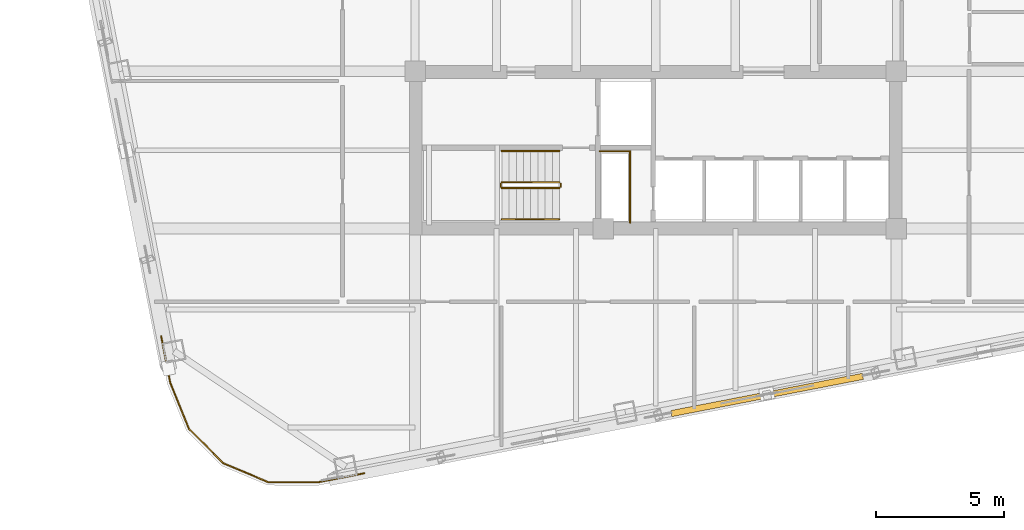
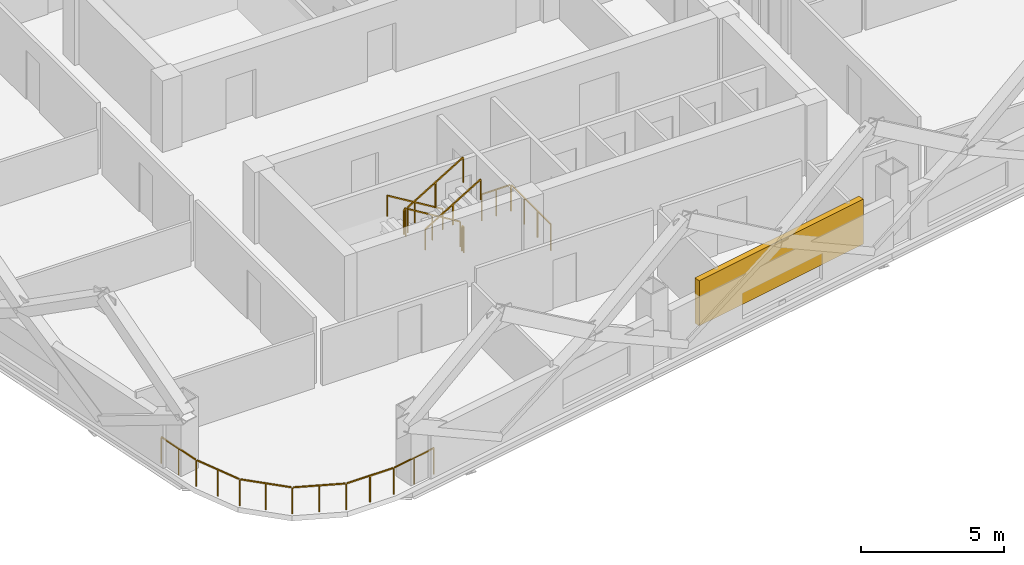
# One storey, part 8 of 10: 8 railings, 1 shading device.
"""IFC4 building model written with IfcOpenShell, lengths in metres."""

from ifc_helpers import new_model, si_unit, direction, frame, origin, origin_2d, place, context, subcontext, project, spatial, rectangle, extrude, material, type_object, element, save


model = new_model("IFC4")

# Units and contexts
model_context = context("Model", 3, precision=1e-05, world=origin(), true_north=direction((0.0, 1.0)))
body_context = subcontext(model_context, "Body", "Model", "MODEL_VIEW")
ifc_project = project(units=[si_unit("LENGTHUNIT", "METRE"), si_unit("AREAUNIT", "SQUARE_METRE"), si_unit("VOLUMEUNIT", "CUBIC_METRE"), si_unit("PLANEANGLEUNIT", "RADIAN"), si_unit("MASSUNIT", "GRAM", prefix="KILO")], contexts=[model_context])

# Site, building, storey
site_placement = place(None, origin())
site = spatial("IfcSite", under=ifc_project, at=site_placement, CompositionType="ELEMENT")
building_placement = place(site_placement, origin())
building = spatial("IfcBuilding", under=site, at=building_placement, Name="Qhalaya Broadcast Tower", CompositionType="ELEMENT")
storey_placement = place(building_placement, frame((0.0, 0.0, 131.10009765625)))
storey = spatial("IfcBuildingStorey", under=building, at=storey_placement, Name="L38", CompositionType="ELEMENT", Elevation=131.10009765625)

# Railings
ifc_material_1 = material(Name="Powder-Coated Galvanised Steel", Category="steel")
railing_type_1 = type_object("IfcRailingType", Name="Stair Wall Handrail 900", PredefinedType="HANDRAIL", material=ifc_material_1)
railing_1_placement = place(storey_placement, frame((-3.75, -5.72998046875, 0.16943359375)))
element("IfcRailing", 1, at=railing_1_placement, inside=storey, type_object=railing_type_1, Name="L38 ST-2 Stair Handrail 1", PredefinedType="HANDRAIL", context=body_context, shape_type="SweptSolid", body=[
    extrude(rectangle(XDim=0.048095703125, YDim=0.048095703125, at=origin_2d()), frame((0.0, 0.0, 0.8759765625), z_axis=(-0.855553338991, 0.0, 0.51771467445), x_axis=(0.0, -1.0, 0.0)), (0.0, 0.0, 1.0), 2.6181640625),
    extrude(rectangle(XDim=0.0419921875, YDim=0.0419921875, at=origin_2d()), origin(), (0.0, 0.0, 1.0), 0.849853515625),
    extrude(rectangle(XDim=0.0419921875, YDim=0.0419921875, at=origin_2d()), frame((-1.1201171875, 0.0, 0.677734375)), (0.0, 0.0, 1.0), 0.849853515625),
    extrude(rectangle(XDim=0.0419921875, YDim=0.0419921875, at=origin_2d()), frame((-2.239990234375, 0.0, 1.35546875)), (0.0, 0.0, 1.0), 0.849853515625),
])
railing_2_placement = place(storey_placement, frame((-5.989990234375, -8.389892578125, 1.6943359375)))
element("IfcRailing", 2, at=railing_2_placement, inside=storey, type_object=railing_type_1, Name="L38 ST-2 Stair Handrail 2", PredefinedType="HANDRAIL", context=body_context, shape_type="SweptSolid", body=[
    extrude(rectangle(XDim=0.048095703125, YDim=0.048095703125, at=origin_2d()), frame((0.0, 0.0, 0.8759765625), z_axis=(0.855553338991, 0.0, 0.51771467445), x_axis=(0.0, 1.0, 0.0)), (0.0, 0.0, 1.0), 2.6181640625),
    extrude(rectangle(XDim=0.0419921875, YDim=0.0419921875, at=origin_2d()), origin(), (0.0, 0.0, 1.0), 0.849853515625),
    extrude(rectangle(XDim=0.0419921875, YDim=0.0419921875, at=origin_2d()), frame((1.1201171875, 0.0, 0.677734375)), (0.0, 0.0, 1.0), 0.849853515625),
    extrude(rectangle(XDim=0.0419921875, YDim=0.0419921875, at=origin_2d()), frame((2.239990234375, 0.0, 1.35546875)), (0.0, 0.0, 1.0), 0.849853515625),
])
railing_type_2 = type_object("IfcRailingType", Name="Stair Well & Landing Guardrail 1100", PredefinedType="GUARDRAIL", material=ifc_material_1)
railing_3_placement = place(storey_placement, frame((-1.0, -8.52001953125, 0.0)))
element("IfcRailing", 3, at=railing_3_placement, inside=storey, type_object=railing_type_2, Name="L38 Service Riser Opening Safety Guard SRSR", PredefinedType="GUARDRAIL", context=body_context, shape_type="SweptSolid", body=[
    extrude(rectangle(XDim=0.048095703125, YDim=0.048095703125, at=origin_2d()), frame((0.0, 0.0, 1.1259765625), z_axis=(0.0, 1.0, 0.0), x_axis=(-1.0, 0.0, 0.0)), (0.0, 0.0, 1.0), 2.751220703125),
    extrude(rectangle(XDim=0.048095703125, YDim=0.048095703125, at=origin_2d()), frame((-0.02880859375, 2.780029296875, 1.1259765625), z_axis=(-1.0, 0.0, 0.0), x_axis=(0.0, -1.0, 0.0)), (0.0, 0.0, 1.0), 1.151123046875),
    extrude(rectangle(XDim=0.0419921875, YDim=0.0419921875, at=origin_2d()), origin(), (0.0, 0.0, 1.0), 1.099853515625),
    extrude(rectangle(XDim=0.0419921875, YDim=0.0419921875, at=origin_2d()), frame((0.0, 0.9267578125, 0.0)), (0.0, 0.0, 1.0), 1.099853515625),
    extrude(rectangle(XDim=0.0419921875, YDim=0.0419921875, at=origin_2d()), frame((0.0, 1.853271484375, 0.0)), (0.0, 0.0, 1.0), 1.099853515625),
    extrude(rectangle(XDim=0.0419921875, YDim=0.0419921875, at=origin_2d()), frame((0.0, 2.780029296875, 0.0)), (0.0, 0.0, 1.0), 1.099853515625),
    extrude(rectangle(XDim=0.0419921875, YDim=0.0419921875, at=origin_2d()), frame((-0.58984375, 2.780029296875, 0.0)), (0.0, 0.0, 1.0), 1.099853515625),
    extrude(rectangle(XDim=0.0419921875, YDim=0.0419921875, at=origin_2d()), frame((-1.179931640625, 2.780029296875, 0.0)), (0.0, 0.0, 1.0), 1.099853515625),
])
railing_4_placement = place(storey_placement, frame((-3.75, -6.949951171875, 0.16943359375)))
element("IfcRailing", 4, at=railing_4_placement, inside=storey, type_object=railing_type_2, Name="L38 ST-2 Stair Guard 1", PredefinedType="GUARDRAIL", context=body_context, shape_type="SweptSolid", body=[
    extrude(rectangle(XDim=0.048095703125, YDim=0.048095703125, at=origin_2d()), frame((0.0, 0.0, 1.076171875), z_axis=(-0.855553338991, 0.0, 0.51771467445), x_axis=(0.0, -1.0, 0.0)), (0.0, 0.0, 1.0), 2.6181640625),
    extrude(rectangle(XDim=0.0419921875, YDim=0.0419921875, at=origin_2d()), origin(), (0.0, 0.0, 1.0), 1.050048828125),
    extrude(rectangle(XDim=0.0419921875, YDim=0.0419921875, at=origin_2d()), frame((-1.1201171875, 0.0, 0.677734375)), (0.0, 0.0, 1.0), 1.050048828125),
    extrude(rectangle(XDim=0.0419921875, YDim=0.0419921875, at=origin_2d()), frame((-2.239990234375, 0.0, 1.35546875)), (0.0, 0.0, 1.0), 1.050048828125),
])
railing_5_placement = place(storey_placement, frame((-6.0400390625, -7.0, 1.52490234375)))
element("IfcRailing", 5, at=railing_5_placement, inside=storey, type_object=railing_type_2, Name="L38 ST-2 Stair Guard 2", PredefinedType="GUARDRAIL", context=body_context, shape_type="SweptSolid", body=[
    extrude(rectangle(XDim=0.048095703125, YDim=0.048095703125, at=origin_2d()), frame((0.0, 0.0, 1.076171875), z_axis=(0.0, -1.0, 0.0), x_axis=(1.0, 0.0, 0.0)), (0.0, 0.0, 1.0), 0.1201171875),
    extrude(rectangle(XDim=0.0419921875, YDim=0.0419921875, at=origin_2d()), origin(), (0.0, 0.0, 1.0), 1.050048828125),
    extrude(rectangle(XDim=0.0419921875, YDim=0.0419921875, at=origin_2d()), frame((0.0, -0.1201171875, 0.0)), (0.0, 0.0, 1.0), 1.050048828125),
])
railing_6_placement = place(storey_placement, frame((-5.989990234375, -7.169921875, 1.6943359375)))
element("IfcRailing", 6, at=railing_6_placement, inside=storey, type_object=railing_type_2, Name="L38 ST-2 Stair Guard 3", PredefinedType="GUARDRAIL", context=body_context, shape_type="SweptSolid", body=[
    extrude(rectangle(XDim=0.048095703125, YDim=0.048095703125, at=origin_2d()), frame((0.0, 0.0, 1.076171875), z_axis=(0.855553338991, 0.0, 0.51771467445), x_axis=(0.0, 1.0, 0.0)), (0.0, 0.0, 1.0), 2.6181640625),
    extrude(rectangle(XDim=0.0419921875, YDim=0.0419921875, at=origin_2d()), origin(), (0.0, 0.0, 1.0), 1.050048828125),
    extrude(rectangle(XDim=0.0419921875, YDim=0.0419921875, at=origin_2d()), frame((1.1201171875, 0.0, 0.677734375)), (0.0, 0.0, 1.0), 1.050048828125),
    extrude(rectangle(XDim=0.0419921875, YDim=0.0419921875, at=origin_2d()), frame((2.239990234375, 0.0, 1.35546875)), (0.0, 0.0, 1.0), 1.050048828125),
])
railing_7_placement = place(storey_placement, frame((-3.699951171875, -7.0, 0.0)))
element("IfcRailing", 7, at=railing_7_placement, inside=storey, type_object=railing_type_2, Name="L38 ST-2 Stair Guard 4", PredefinedType="GUARDRAIL", context=body_context, shape_type="SweptSolid", body=[
    extrude(rectangle(XDim=0.048095703125, YDim=0.048095703125, at=origin_2d()), frame((0.0, 0.0, 1.076171875), z_axis=(0.0, -1.0, 0.0), x_axis=(1.0, 0.0, 0.0)), (0.0, 0.0, 1.0), 0.1201171875),
    extrude(rectangle(XDim=0.0419921875, YDim=0.0419921875, at=origin_2d()), origin(), (0.0, 0.0, 1.0), 1.050048828125),
    extrude(rectangle(XDim=0.0419921875, YDim=0.0419921875, at=origin_2d()), frame((0.0, -0.1201171875, 0.0)), (0.0, 0.0, 1.0), 1.050048828125),
])
railing_type_3 = type_object("IfcRailingType", Name="Terrace, Sky-Pool & Lookout Glass Balustrade 1150", PredefinedType="BALUSTRADE", material=ifc_material_1)
railing_8_placement = place(storey_placement, frame((-11.351318359375, -18.281982421875, 0.0)))
element("IfcRailing", 8, at=railing_8_placement, inside=storey, type_object=railing_type_3, Name="L38 Rounded Corner Perimeter Guard 02", PredefinedType="BALUSTRADE", context=body_context, shape_type="SweptSolid", body=[
    extrude(rectangle(XDim=0.048095703125, YDim=0.048095703125, at=origin_2d()), frame((0.0, 0.0, 1.1259765625), z_axis=(-0.981643446311, -0.190725311155, 0.0), x_axis=(0.190725311155, -0.981643446311, 0.0)), (0.0, 0.0, 1.0), 1.8271484375),
    extrude(rectangle(XDim=0.048095703125, YDim=0.048095703125, at=origin_2d()), frame((-1.850830078125, -0.353759765625, 1.1259765625), z_axis=(-0.999990606087, 0.004334482484, 0.0), x_axis=(-0.004334482484, -0.999990606087, 0.0)), (0.0, 0.0, 1.0), 1.857421875),
    extrude(rectangle(XDim=0.048095703125, YDim=0.048095703125, at=origin_2d()), frame((-3.763671875, -0.33447265625, 1.1259765625), z_axis=(-0.922247496545, 0.386599993684, 0.0), x_axis=(-0.386599993684, -0.922247496545, 0.0)), (0.0, 0.0, 1.0), 1.845703125),
    extrude(rectangle(XDim=0.048095703125, YDim=0.048095703125, at=origin_2d()), frame((-5.5126953125, 0.41064453125, 1.1259765625), z_axis=(-0.704021268228, 0.710178888649, 0.0), x_axis=(-0.710178888649, -0.704021268228, 0.0)), (0.0, 0.0, 1.0), 1.845458984375),
    extrude(rectangle(XDim=0.048095703125, YDim=0.048095703125, at=origin_2d()), frame((-6.84326171875, 1.768310546875, 1.1259765625), z_axis=(-0.378588174109, 0.925565229698, 0.0), x_axis=(-0.925565229698, -0.378588174109, 0.0)), (0.0, 0.0, 1.0), 1.857666015625),
    extrude(rectangle(XDim=0.048095703125, YDim=0.048095703125, at=origin_2d()), frame((-7.56298828125, 3.542724609375, 1.1259765625), z_axis=(-0.190725311155, 0.981643446311, 0.0), x_axis=(-0.981643446311, -0.190725311155, 0.0)), (0.0, 0.0, 1.0), 1.8271484375),
    extrude(rectangle(XDim=0.0419921875, YDim=0.0419921875, at=origin_2d()), origin(), (0.0, 0.0, 1.0), 1.099853515625),
    extrude(rectangle(XDim=0.0419921875, YDim=0.0419921875, at=origin_2d()), frame((-0.9111328125, -0.177001953125, 0.0)), (0.0, 0.0, 1.0), 1.099853515625),
    extrude(rectangle(XDim=0.0419921875, YDim=0.0419921875, at=origin_2d()), frame((-1.822021484375, -0.35400390625, 0.0)), (0.0, 0.0, 1.0), 1.099853515625),
    extrude(rectangle(XDim=0.0419921875, YDim=0.0419921875, at=origin_2d()), frame((-2.779541015625, -0.349853515625, 0.0)), (0.0, 0.0, 1.0), 1.099853515625),
    extrude(rectangle(XDim=0.0419921875, YDim=0.0419921875, at=origin_2d()), frame((-3.737060546875, -0.345703125, 0.0)), (0.0, 0.0, 1.0), 1.099853515625),
    extrude(rectangle(XDim=0.0419921875, YDim=0.0419921875, at=origin_2d()), frame((-4.61474609375, 0.022216796875, 0.0)), (0.0, 0.0, 1.0), 1.099853515625),
    extrude(rectangle(XDim=0.0419921875, YDim=0.0419921875, at=origin_2d()), frame((-5.492431640625, 0.39013671875, 0.0)), (0.0, 0.0, 1.0), 1.099853515625),
    extrude(rectangle(XDim=0.0419921875, YDim=0.0419921875, at=origin_2d()), frame((-6.162353515625, 1.06591796875, 0.0)), (0.0, 0.0, 1.0), 1.099853515625),
    extrude(rectangle(XDim=0.0419921875, YDim=0.0419921875, at=origin_2d()), frame((-6.832275390625, 1.74169921875, 0.0)), (0.0, 0.0, 1.0), 1.099853515625),
    extrude(rectangle(XDim=0.0419921875, YDim=0.0419921875, at=origin_2d()), frame((-7.19482421875, 2.6279296875, 0.0)), (0.0, 0.0, 1.0), 1.099853515625),
    extrude(rectangle(XDim=0.0419921875, YDim=0.0419921875, at=origin_2d()), frame((-7.557373046875, 3.514404296875, 0.0)), (0.0, 0.0, 1.0), 1.099853515625),
    extrude(rectangle(XDim=0.0419921875, YDim=0.0419921875, at=origin_2d()), frame((-7.734375, 4.42529296875, 0.0)), (0.0, 0.0, 1.0), 1.099853515625),
    extrude(rectangle(XDim=0.0419921875, YDim=0.0419921875, at=origin_2d()), frame((-7.911376953125, 5.33642578125, 0.0)), (0.0, 0.0, 1.0), 1.099853515625),
])

# Shading device
ifc_material_2 = material(Name="Fired Architectural Terracotta", Category="masonry")
shading_device_type = type_object("IfcShadingDeviceType", Name="Terracotta Baguette Solar Screen Assembly TBS-01", PredefinedType="USERDEFINED", material=ifc_material_2)
shading_device_placement = place(storey_placement, frame((4.337158203125, -15.232421875, 0.79248046875), z_axis=(0.0, 0.0, 1.0), x_axis=(0.981627183448, 0.190808995377, 0.0)))
element("IfcShadingDevice", 9, at=shading_device_placement, inside=storey, type_object=shading_device_type, Name="L38 Fired Terracotta Baguette Screen S", ObjectType="BAGUETTE", PredefinedType="USERDEFINED", context=body_context, shape_type="SweptSolid", body=[
    extrude(rectangle(XDim=7.60009765625, YDim=0.239990234375, at=origin_2d()), origin(), (0.0, 0.0, 1.0), 1.924072265625),
])

save(model, "model.ifc")
